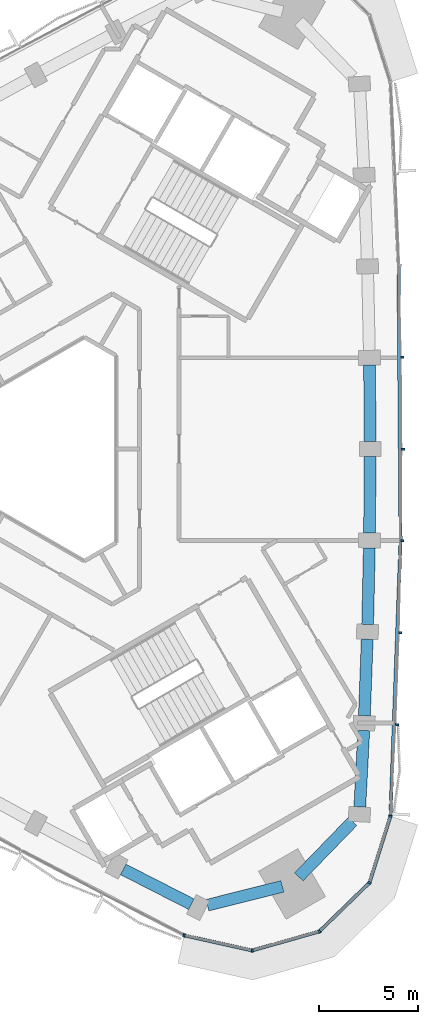
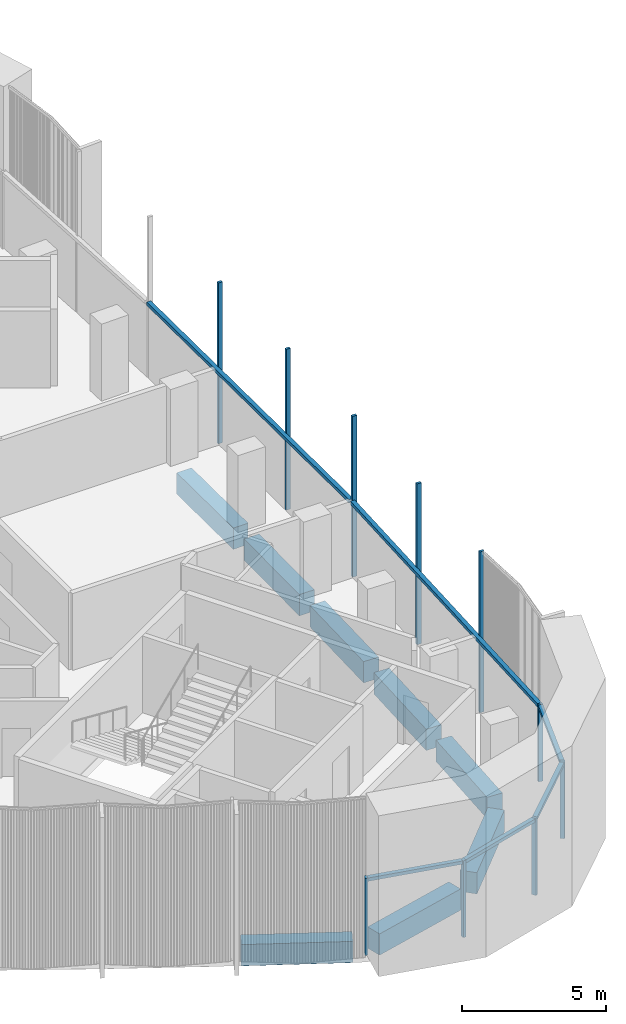
# One storey, part 4 of 14: 16 members, 8 beams, 2 elements without a shape of their own.
"""IFC4 building model written with IfcOpenShell, lengths in metres."""

from ifc_helpers import new_model, si_unit, direction, frame, origin, origin_2d, place, context, subcontext, project, spatial, rectangle, extrude, material, material_profile, profile_set, type_object, element, aggregate, save


model = new_model("IFC4")

# Units and contexts
model_context = context("Model", 3, precision=1e-05, world=origin(), true_north=direction((0.0, 1.0)))
body_context = subcontext(model_context, "Body", "Model", "MODEL_VIEW")
ifc_project = project(units=[si_unit("LENGTHUNIT", "METRE"), si_unit("AREAUNIT", "SQUARE_METRE"), si_unit("VOLUMEUNIT", "CUBIC_METRE"), si_unit("PLANEANGLEUNIT", "RADIAN"), si_unit("MASSUNIT", "GRAM", prefix="KILO")], contexts=[model_context])

# Site, building, storey
site_placement = place(None, origin())
site = spatial("IfcSite", under=ifc_project, at=site_placement, CompositionType="ELEMENT")
building_placement = place(site_placement, origin())
building = spatial("IfcBuilding", under=site, at=building_placement, Name="Tamra Quay Hotel Tower", CompositionType="ELEMENT")
storey_placement = place(building_placement, frame((0.0, 0.0, 250.199951171875)))
storey = spatial("IfcBuildingStorey", under=building, at=storey_placement, Name="L63", CompositionType="ELEMENT", Elevation=250.199951171875)

# Curtain wall, members
ifc_material_1 = material(Name="Aluminium 6063 anodised dark grey", Category="aluminium")
curtain_wall_type_1 = type_object("IfcCurtainWallType", Name="CW1 CURTAIN WALL", PredefinedType="NOTDEFINED", material=ifc_material_1)
curtain_wall_1_placement = place(storey_placement, origin())
curtain_wall_1 = element("IfcCurtainWall", 1, at=curtain_wall_1_placement, inside=storey, type_object=curtain_wall_type_1, Name="CW1 east face L63", PredefinedType="NOTDEFINED")
ifc_material_profile_1 = material_profile(ifc_material_1, rectangle(XDim=0.169921875, YDim=0.10009765625, at=origin_2d()), Name="MULLION 100X170")
ifc_profile_set_1 = profile_set([ifc_material_profile_1], Name="Aluminium 6063 anodised dark grey")
member_type_1 = type_object("IfcMemberType", Name="MULLION CW1 Z5", PredefinedType="MULLION", material=ifc_profile_set_1)
member_1_placement = place(storey_placement, frame((17.69677734375, -18.5830078125, 0.0), z_axis=(0.0, 0.0, 1.0), x_axis=(0.984105321789, -0.177585797933, 0.0)))
member_1 = element("IfcMember", 2, at=member_1_placement, type_object=member_type_1, Name="CW1 mullion L63.E.1", PredefinedType="MULLION", context=body_context, shape_type="SweptSolid", body=[
    extrude(rectangle(XDim=0.169921875, YDim=0.10009765625, at=origin_2d()), origin(), (0.0, 0.0, 1.0), 3.25),
])
member_2_placement = place(storey_placement, frame((18.020751953125, -13.944580078125, 0.0), z_axis=(0.0, 0.0, 1.0), x_axis=(0.999028216264, -0.044075198344, 0.0)))
member_2 = element("IfcMember", 3, at=member_2_placement, type_object=member_type_1, Name="CW1 mullion L63.E.2", PredefinedType="MULLION", context=body_context, shape_type="SweptSolid", body=[
    extrude(rectangle(XDim=0.169921875, YDim=0.10009765625, at=origin_2d()), origin(), (0.0, 0.0, 1.0), 6.800048828125),
])
member_3_placement = place(storey_placement, frame((18.191650390625, -9.2978515625, 0.0), z_axis=(0.0, 0.0, 1.0), x_axis=(0.999567592353, -0.029404562872, 0.0)))
member_3 = element("IfcMember", 4, at=member_3_placement, type_object=member_type_1, Name="CW1 mullion L63.E.3", PredefinedType="MULLION", context=body_context, shape_type="SweptSolid", body=[
    extrude(rectangle(XDim=0.169921875, YDim=0.10009765625, at=origin_2d()), origin(), (0.0, 0.0, 1.0), 6.800048828125),
])
member_4_placement = place(storey_placement, frame((18.294189453125, -4.64990234375, 0.0), z_axis=(0.0, 0.0, 1.0), x_axis=(0.999891761693, -0.014712746134, 0.0)))
member_4 = element("IfcMember", 5, at=member_4_placement, type_object=member_type_1, Name="CW1 mullion L63.E.4", PredefinedType="MULLION", context=body_context, shape_type="SweptSolid", body=[
    extrude(rectangle(XDim=0.169921875, YDim=0.10009765625, at=origin_2d()), origin(), (0.0, 0.0, 1.0), 6.800048828125),
])
member_5_placement = place(storey_placement, frame((18.328369140625, 0.0, 0.0), z_axis=(0.0, 0.0, 1.0), x_axis=(1.0, 0.0, 0.0)))
member_5 = element("IfcMember", 6, at=member_5_placement, type_object=member_type_1, Name="CW1 mullion L63.E.5", PredefinedType="MULLION", context=body_context, shape_type="SweptSolid", body=[
    extrude(rectangle(XDim=0.169921875, YDim=0.10009765625, at=origin_2d()), origin(), (0.0, 0.0, 1.0), 6.800048828125),
])
member_6_placement = place(storey_placement, frame((18.294189453125, 4.64990234375, 0.0), z_axis=(0.0, 0.0, 1.0), x_axis=(0.999891761693, 0.014712746134, 0.0)))
member_6 = element("IfcMember", 7, at=member_6_placement, type_object=member_type_1, Name="CW1 mullion L63.E.6", PredefinedType="MULLION", context=body_context, shape_type="SweptSolid", body=[
    extrude(rectangle(XDim=0.169921875, YDim=0.10009765625, at=origin_2d()), origin(), (0.0, 0.0, 1.0), 6.800048828125),
])

curtain_wall_type_2 = type_object("IfcCurtainWallType", Name="CW3 CURTAIN WALL", PredefinedType="NOTDEFINED", material=ifc_material_1)
curtain_wall_2_placement = place(storey_placement, origin())
curtain_wall_2 = element("IfcCurtainWall", 8, at=curtain_wall_2_placement, inside=storey, type_object=curtain_wall_type_2, Name="CW3 south-west face L63", PredefinedType="NOTDEFINED")
ifc_material_profile_2 = material_profile(ifc_material_1, rectangle(XDim=0.169921875, YDim=0.10009765625, at=origin_2d()), Name="MULLION 100X170")
ifc_profile_set_2 = profile_set([ifc_material_profile_2], Name="Aluminium 6063 anodised dark grey")
member_type_2 = type_object("IfcMemberType", Name="MULLION CW3 Z5", PredefinedType="MULLION", material=ifc_profile_set_2)
member_7_placement = place(storey_placement, frame((7.244873046875, -24.617431640625, 0.0), z_axis=(0.0, 0.0, 1.0), x_axis=(-0.338258848533, -0.941053107635, 0.0)))
member_7 = element("IfcMember", 9, at=member_7_placement, type_object=member_type_2, Name="CW3 mullion L63.SW.9", PredefinedType="MULLION", context=body_context, shape_type="SweptSolid", body=[
    extrude(rectangle(XDim=0.169921875, YDim=0.10009765625, at=origin_2d()), origin(), (0.0, 0.0, 1.0), 3.25),
])
member_8_placement = place(storey_placement, frame((10.6962890625, -25.3818359375, 0.0), z_axis=(0.0, 0.0, 1.0), x_axis=(0.029222506575, -0.999572931361, 0.0)))
member_8 = element("IfcMember", 10, at=member_8_placement, type_object=member_type_2, Name="CW3 mullion L63.SW.10", PredefinedType="MULLION", context=body_context, shape_type="SweptSolid", body=[
    extrude(rectangle(XDim=0.169921875, YDim=0.10009765625, at=origin_2d()), origin(), (0.0, 0.0, 1.0), 3.25),
])
member_9_placement = place(storey_placement, frame((14.09716796875, -24.4169921875, 0.0), z_axis=(0.0, 0.0, 1.0), x_axis=(0.5, -0.866025403784, 0.0)))
member_9 = element("IfcMember", 11, at=member_9_placement, type_object=member_type_2, Name="CW3 mullion L63.SW.11", PredefinedType="MULLION", context=body_context, shape_type="SweptSolid", body=[
    extrude(rectangle(XDim=0.169921875, YDim=0.10009765625, at=origin_2d()), origin(), (0.0, 0.0, 1.0), 3.25),
])
member_10_placement = place(storey_placement, frame((16.633056640625, -21.9541015625, 0.0), z_axis=(0.0, 0.0, 1.0), x_axis=(0.851044298206, -0.525093898736, 0.0)))
member_10 = element("IfcMember", 12, at=member_10_placement, type_object=member_type_2, Name="CW3 mullion L63.SW.12", PredefinedType="MULLION", context=body_context, shape_type="SweptSolid", body=[
    extrude(rectangle(XDim=0.169921875, YDim=0.10009765625, at=origin_2d()), origin(), (0.0, 0.0, 1.0), 3.25),
])

# Beams
ifc_material_2 = material(Name="Concrete M60", Category="concrete")
ifc_material_profile_3 = material_profile(ifc_material_2, rectangle(XDim=0.60009765625, YDim=0.89990234375, at=origin_2d()), Name="SPANDREL BEAM RC 600x900")
ifc_profile_set_3 = profile_set([ifc_material_profile_3], Name="Concrete M60")
beam_type = type_object("IfcBeamType", Name="SPANDREL BEAM RC 600x900", PredefinedType="SPANDREL", material=ifc_profile_set_3)
beam_1_placement = place(storey_placement, frame((16.144775390625, -18.116455078125, -0.800048828125), z_axis=(0.051404854824, 0.998677896471, 0.0), x_axis=(-0.998677896471, 0.051404854824, 0.0)))
element("IfcBeam", 13, at=beam_1_placement, inside=storey, type_object=beam_type, Name="BM-SP5-000-L63", PredefinedType="SPANDREL", context=body_context, shape_type="SweptSolid", body=[
    extrude(rectangle(XDim=0.60009765625, YDim=0.89990234375, at=origin_2d()), origin(), (0.0, 0.0, 1.0), 3.87548828125),
])
beam_2_placement = place(storey_placement, frame((16.377197265625, -13.496826171875, -0.800048828125), z_axis=(0.036732019634, 0.999325151657, 0.0), x_axis=(-0.999325151657, 0.036732019634, 0.0)))
element("IfcBeam", 14, at=beam_2_placement, inside=storey, type_object=beam_type, Name="BM-SP5-001-L63", PredefinedType="SPANDREL", context=body_context, shape_type="SweptSolid", body=[
    extrude(rectangle(XDim=0.60009765625, YDim=0.89990234375, at=origin_2d()), origin(), (0.0, 0.0, 1.0), 3.875),
])
beam_3_placement = place(storey_placement, frame((16.54150390625, -8.874755859375, -0.800048828125), z_axis=(0.022047440235, 0.999756925647, 0.0), x_axis=(-0.999756925647, 0.022047440235, 0.0)))
element("IfcBeam", 15, at=beam_3_placement, inside=storey, type_object=beam_type, Name="BM-SP5-002-L63", PredefinedType="SPANDREL", context=body_context, shape_type="SweptSolid", body=[
    extrude(rectangle(XDim=0.60009765625, YDim=0.89990234375, at=origin_2d()), origin(), (0.0, 0.0, 1.0), 3.875732421875),
])
for number, where, z_axis, x_axis, name in (
    (16, (16.63818359375, -4.25, -0.800048828125), (0.007308272564, 0.999973294219, 0.0), (-0.999973294219, 0.007308272564, 0.0), "BM-SP5-003-L63"),
    (17, (16.66650390625, 0.375, -0.800048828125), (-0.007308272564, 0.999973294219, 0.0), (-0.999973294219, -0.007308272564, 0.0), "BM-SP5-004-L63"),
):
    element("IfcBeam", number, at=place(storey_placement, frame(where, z_axis=z_axis, x_axis=x_axis)), inside=storey, type_object=beam_type, Name=name, PredefinedType="SPANDREL", context=body_context, shape_type="SweptSolid", body=[
        extrude(rectangle(XDim=0.60009765625, YDim=0.89990234375, at=origin_2d()), origin(), (0.0, 0.0, 1.0), 3.875),
    ])
beam_4_placement = place(storey_placement, frame((4.16552734375, -21.277587890625, -0.800048828125), z_axis=(0.890602550436, -0.454782472349, 0.0), x_axis=(0.454782472349, 0.890602550436, 0.0)))
element("IfcBeam", 18, at=beam_4_placement, inside=storey, type_object=beam_type, Name="BM-SP5-027-L63", PredefinedType="SPANDREL", context=body_context, shape_type="SweptSolid", body=[
    extrude(rectangle(XDim=0.60009765625, YDim=0.89990234375, at=origin_2d()), origin(), (0.0, 0.0, 1.0), 3.87548828125),
])
beam_5_placement = place(storey_placement, frame((8.430908203125, -23.090087890625, -0.800048828125), z_axis=(0.969848171666, 0.243709917558, 0.0), x_axis=(-0.243709917558, 0.969848171666, 0.0)))
element("IfcBeam", 19, at=beam_5_placement, inside=storey, type_object=beam_type, Name="BM-SP5-028-L63", PredefinedType="SPANDREL", context=body_context, shape_type="SweptSolid", body=[
    extrude(rectangle(XDim=0.60009765625, YDim=0.89990234375, at=origin_2d()), origin(), (0.0, 0.0, 1.0), 3.912841796875),
])
beam_6_placement = place(storey_placement, frame((13.05810546875, -21.656005859375, -0.800048828125), z_axis=(0.69594408001, 0.718095980701, 0.0), x_axis=(-0.718095980701, 0.69594408001, 0.0)))
element("IfcBeam", 20, at=beam_6_placement, inside=storey, type_object=beam_type, Name="BM-SP5-029-L63", PredefinedType="SPANDREL", context=body_context, shape_type="SweptSolid", body=[
    extrude(rectangle(XDim=0.60009765625, YDim=0.89990234375, at=origin_2d()), origin(), (0.0, 0.0, 1.0), 3.91259765625),
])

# Member
ifc_material_profile_4 = material_profile(ifc_material_1, rectangle(XDim=0.169921875, YDim=0.139892578125, at=origin_2d()), Name="TRANSOM 170X140")
ifc_profile_set_4 = profile_set([ifc_material_profile_4], Name="Aluminium 6063 anodised dark grey")
member_type_3 = type_object("IfcMemberType", Name="TRANSOM CW1 Z5", PredefinedType="USERDEFINED", material=ifc_profile_set_4)
member_11_placement = place(storey_placement, frame((17.699462890625, -18.532958984375, 3.179931640625), z_axis=(0.03673444579, 0.999325062476, 0.0), x_axis=(-0.999325062476, 0.03673444579, 0.0)))
member_11 = element("IfcMember", 21, at=member_11_placement, type_object=member_type_3, Name="CW1 transom L63.E.1", ObjectType="TRANSOM", PredefinedType="USERDEFINED", context=body_context, shape_type="SweptSolid", body=[
    extrude(rectangle(XDim=0.169921875, YDim=0.139892578125, at=origin_2d()), origin(), (0.0, 0.0, 1.0), 13.84375),
])

member_12_placement = place(storey_placement, frame((18.20947265625, -4.5986328125, 3.179931640625), z_axis=(-0.00735365003, 0.99997296155, 0.0), x_axis=(-0.99997296155, -0.00735365003, 0.0)))
member_12 = element("IfcMember", 22, at=member_12_placement, type_object=member_type_3, Name="CW1 transom L63.E.4", ObjectType="TRANSOM", PredefinedType="USERDEFINED", context=body_context, shape_type="SweptSolid", body=[
    extrude(rectangle(XDim=0.169921875, YDim=0.139892578125, at=origin_2d()), origin(), (0.0, 0.0, 1.0), 13.844482421875),
])

aggregate(curtain_wall_1, [member_1, member_11, member_2, member_3, member_4, member_12, member_5, member_6])

ifc_material_profile_5 = material_profile(ifc_material_1, rectangle(XDim=0.169921875, YDim=0.139892578125, at=origin_2d()), Name="TRANSOM 170X140")
ifc_profile_set_5 = profile_set([ifc_material_profile_5], Name="Aluminium 6063 anodised dark grey")
member_type_4 = type_object("IfcMemberType", Name="TRANSOM CW3 Z5", PredefinedType="USERDEFINED", material=ifc_profile_set_5)
member_13_placement = place(storey_placement, frame((7.293701171875, -24.628173828125, 3.179931640625), z_axis=(0.976332331622, -0.21627569958, 0.0), x_axis=(0.21627569958, 0.976332331622, 0.0)))
member_13 = element("IfcMember", 23, at=member_13_placement, type_object=member_type_4, Name="CW3 transom L63.SW.9", ObjectType="TRANSOM", PredefinedType="USERDEFINED", context=body_context, shape_type="SweptSolid", body=[
    extrude(rectangle(XDim=0.169921875, YDim=0.139892578125, at=origin_2d()), origin(), (0.0, 0.0, 1.0), 3.43505859375),
])

member_14_placement = place(storey_placement, frame((10.744384765625, -25.3681640625, 3.179931640625), z_axis=(0.962037198813, 0.272918354273, 0.0), x_axis=(-0.272918354273, 0.962037198813, 0.0)))
member_14 = element("IfcMember", 24, at=member_14_placement, type_object=member_type_4, Name="CW3 transom L63.SW.10", ObjectType="TRANSOM", PredefinedType="USERDEFINED", context=body_context, shape_type="SweptSolid", body=[
    extrude(rectangle(XDim=0.169921875, YDim=0.139892578125, at=origin_2d()), origin(), (0.0, 0.0, 1.0), 3.43505859375),
])

member_15_placement = place(storey_placement, frame((14.133056640625, -24.38232421875, 3.179931640625), z_axis=(0.717337227603, 0.696726131199, 0.0), x_axis=(-0.696726131199, 0.717337227603, 0.0)))
member_15 = element("IfcMember", 25, at=member_15_placement, type_object=member_type_4, Name="CW3 transom L63.SW.11", ObjectType="TRANSOM", PredefinedType="USERDEFINED", context=body_context, shape_type="SweptSolid", body=[
    extrude(rectangle(XDim=0.169921875, YDim=0.139892578125, at=origin_2d()), origin(), (0.0, 0.0, 1.0), 3.43505859375),
])

member_16_placement = place(storey_placement, frame((16.648193359375, -21.906494140625, 3.179931640625), z_axis=(0.30092047073, 0.953649238607, 0.0), x_axis=(-0.953649238607, 0.30092047073, 0.0)))
member_16 = element("IfcMember", 26, at=member_16_placement, type_object=member_type_4, Name="CW3 transom L63.SW.12", ObjectType="TRANSOM", PredefinedType="USERDEFINED", context=body_context, shape_type="SweptSolid", body=[
    extrude(rectangle(XDim=0.169921875, YDim=0.139892578125, at=origin_2d()), origin(), (0.0, 0.0, 1.0), 3.43505859375),
])

aggregate(curtain_wall_2, [member_7, member_13, member_8, member_14, member_9, member_15, member_10, member_16])

save(model, "model.ifc")
